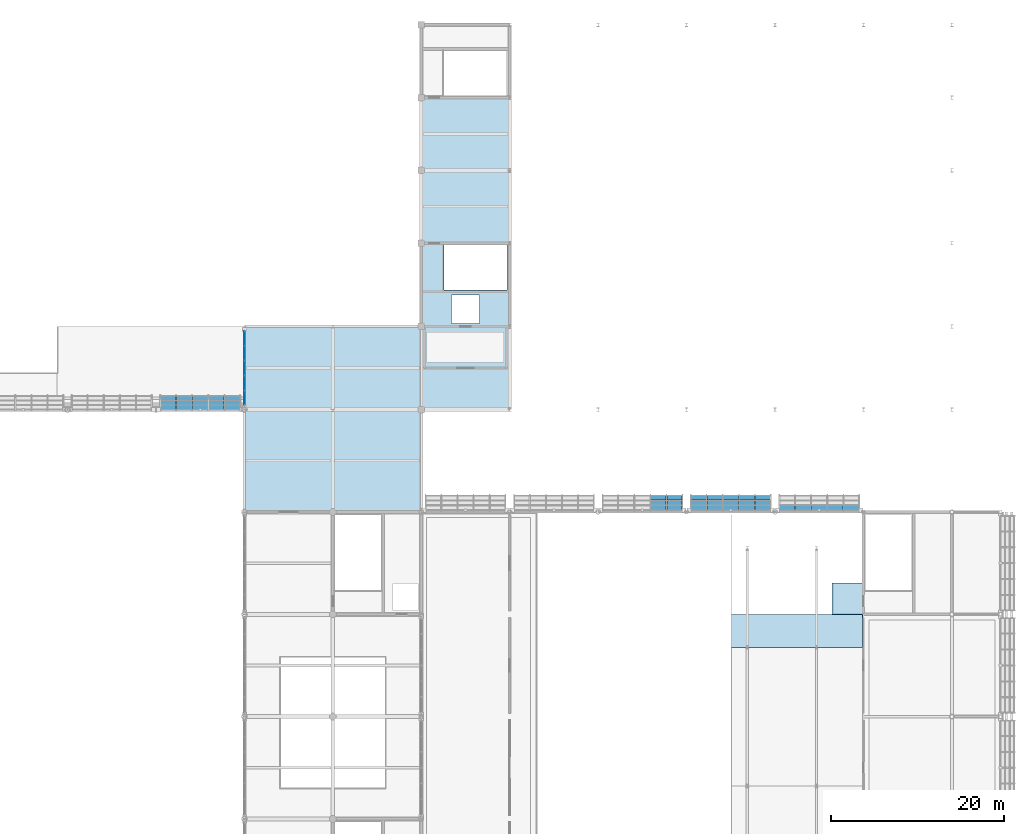
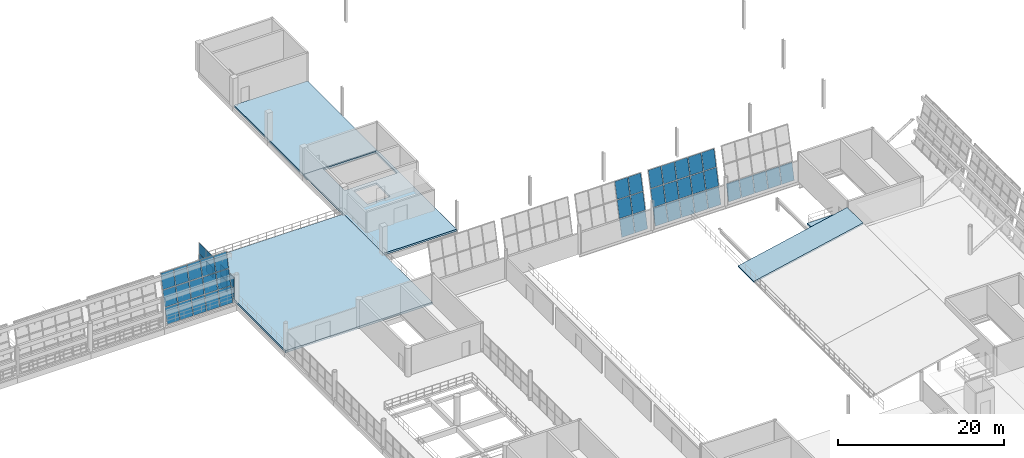
# One storey, part 117 of 157: 51 plates, 5 slabs, 5 elements without a shape of their own.
"""IFC4 building model written with IfcOpenShell, lengths in metres."""

from ifc_helpers import new_model, si_unit, direction, frame, origin, origin_2d, place, context, subcontext, project, spatial, polyline, rectangle, outline, extrude, material, layer, layer_set, type_object, element, aggregate, save


model = new_model("IFC4")

# Units and contexts
model_context = context("Model", 3, precision=1e-05, world=origin(), true_north=direction((0.0, 1.0)))
body_context = subcontext(model_context, "Body", "Model", "MODEL_VIEW")
ifc_project = project(units=[si_unit("LENGTHUNIT", "METRE"), si_unit("AREAUNIT", "SQUARE_METRE"), si_unit("VOLUMEUNIT", "CUBIC_METRE"), si_unit("PLANEANGLEUNIT", "RADIAN"), si_unit("MASSUNIT", "GRAM", prefix="KILO")], contexts=[model_context])

# Site, building, storey
site_placement = place(None, origin())
site = spatial("IfcSite", under=ifc_project, at=site_placement, CompositionType="ELEMENT")
building_placement = place(site_placement, origin())
building = spatial("IfcBuilding", under=site, at=building_placement, Name="Brelvane Convention Centre", CompositionType="ELEMENT")
storey_placement = place(building_placement, frame((0.0, 0.0, 10.800048828125)))
storey = spatial("IfcBuildingStorey", under=building, at=storey_placement, Name="L02", CompositionType="ELEMENT", Elevation=10.800048828125)

# Curtain wall, plates
ifc_material_1 = material(Name="Anodised Aluminium Alloy 6063-T6", Category="aluminium")
curtain_wall_type_1 = type_object("IfcCurtainWallType", Name="Curtain Wall CW-HULL-N", PredefinedType="USERDEFINED", material=ifc_material_1)
curtain_wall_1_placement = place(storey_placement, origin())
curtain_wall_1 = element("IfcCurtainWall", 1, at=curtain_wall_1_placement, inside=storey, type_object=curtain_wall_type_1, Name="Curtain Wall CW-HULL-N L02-V1N-HULL-14", ObjectType="UNITISED", PredefinedType="USERDEFINED")
ifc_material_2 = material(Name="Double Glazed Low-E Laminated Unit")
ifc_layer_1 = layer(ifc_material_2, 0.0380859375)
ifc_layer_set_1 = layer_set([ifc_layer_1], Name="Double Glazed Low-E Laminated Unit")
plate_type_1 = type_object("IfcPlateType", Name="Curtain Panel CW-PG2", PredefinedType="CURTAIN_PANEL", material=ifc_layer_set_1)
plate_1_placement = place(storey_placement, frame((133.1298828125, 100.13720703125, 2.2900390625), z_axis=(0.0, -0.973595011737, 0.22828217872), x_axis=(1.0, 0.0, 0.0)))
plate_1 = element("IfcPlate", 2, at=plate_1_placement, type_object=plate_type_1, Name="CW-HULL-N panel 1.2", PredefinedType="CURTAIN_PANEL", context=body_context, shape_type="SweptSolid", body=[
    extrude(outline(polyline([(0.0, 0.0), (1.740234375, 0.0), (1.740234375, 2.2287725890550485), (0.0, 2.2287725890550485), (0.0, 0.0)])), origin(), (0.0, 0.0, -1.0), 0.0380859375),
])
plate_2_placement = place(storey_placement, frame((133.1298828125, 100.664794921875, 4.5400390625), z_axis=(0.0, -0.973558945432, 0.228435942377), x_axis=(1.0, 0.0, 0.0)))
plate_2 = element("IfcPlate", 3, at=plate_2_placement, type_object=plate_type_1, Name="CW-HULL-N panel 1.3", PredefinedType="CURTAIN_PANEL", context=body_context, shape_type="SweptSolid", body=[
    extrude(outline(polyline([(0.0, 0.0), (1.740234375, 0.0), (1.740234375, 2.18772866552563), (0.0, 2.18772866552563), (0.0, 0.0)])), origin(), (0.0, 0.0, -1.0), 0.0380859375),
])
plate_3_placement = place(storey_placement, frame((134.949951171875, 100.13720703125, 2.2900390625), z_axis=(0.0, -0.973595011737, 0.22828217872), x_axis=(1.0, 0.0, 0.0)))
plate_3 = element("IfcPlate", 4, at=plate_3_placement, type_object=plate_type_1, Name="CW-HULL-N panel 2.2", PredefinedType="CURTAIN_PANEL", context=body_context, shape_type="SweptSolid", body=[
    extrude(outline(polyline([(0.0, 0.0), (1.780029296875, 0.0), (1.780029296875, 2.2287725890550485), (0.0, 2.2287725890550485), (0.0, 0.0)])), origin(), (0.0, 0.0, -1.0), 0.0380859375),
])
plate_4_placement = place(storey_placement, frame((134.949951171875, 100.664794921875, 4.5400390625), z_axis=(0.0, -0.973558945432, 0.228435942377), x_axis=(1.0, 0.0, 0.0)))
plate_4 = element("IfcPlate", 5, at=plate_4_placement, type_object=plate_type_1, Name="CW-HULL-N panel 2.3", PredefinedType="CURTAIN_PANEL", context=body_context, shape_type="SweptSolid", body=[
    extrude(outline(polyline([(0.0, 0.0), (1.780029296875, 0.0), (1.780029296875, 2.18772866552563), (0.0, 2.18772866552563), (0.0, 0.0)])), origin(), (0.0, 0.0, -1.0), 0.0380859375),
])
plate_5_placement = place(storey_placement, frame((136.81005859375, 100.13720703125, 2.2900390625), z_axis=(0.0, -0.973595011737, 0.22828217872), x_axis=(1.0, 0.0, 0.0)))
plate_5 = element("IfcPlate", 6, at=plate_5_placement, type_object=plate_type_1, Name="CW-HULL-N panel 3.2", PredefinedType="CURTAIN_PANEL", context=body_context, shape_type="SweptSolid", body=[
    extrude(outline(polyline([(0.0, 0.0), (1.780029296875, 0.0), (1.780029296875, 2.2287725890550485), (0.0, 2.2287725890550485), (0.0, 0.0)])), origin(), (0.0, 0.0, -1.0), 0.0380859375),
])
plate_6_placement = place(storey_placement, frame((136.81005859375, 100.664794921875, 4.5400390625), z_axis=(0.0, -0.973558945432, 0.228435942377), x_axis=(1.0, 0.0, 0.0)))
plate_6 = element("IfcPlate", 7, at=plate_6_placement, type_object=plate_type_1, Name="CW-HULL-N panel 3.3", PredefinedType="CURTAIN_PANEL", context=body_context, shape_type="SweptSolid", body=[
    extrude(outline(polyline([(0.0, 0.0), (1.780029296875, 0.0), (1.780029296875, 2.18772866552563), (0.0, 2.18772866552563), (0.0, 0.0)])), origin(), (0.0, 0.0, -1.0), 0.0380859375),
])
plate_7_placement = place(storey_placement, frame((138.669921875, 100.13720703125, 2.2900390625), z_axis=(0.0, -0.973595011737, 0.22828217872), x_axis=(1.0, 0.0, 0.0)))
plate_7 = element("IfcPlate", 8, at=plate_7_placement, type_object=plate_type_1, Name="CW-HULL-N panel 4.2", PredefinedType="CURTAIN_PANEL", context=body_context, shape_type="SweptSolid", body=[
    extrude(outline(polyline([(0.0, 0.0), (1.780029296875, 0.0), (1.780029296875, 2.2287725890550485), (0.0, 2.2287725890550485), (0.0, 0.0)])), origin(), (0.0, 0.0, -1.0), 0.0380859375),
])
plate_8_placement = place(storey_placement, frame((138.669921875, 100.664794921875, 4.5400390625), z_axis=(0.0, -0.973558945432, 0.228435942377), x_axis=(1.0, 0.0, 0.0)))
plate_8 = element("IfcPlate", 9, at=plate_8_placement, type_object=plate_type_1, Name="CW-HULL-N panel 4.3", PredefinedType="CURTAIN_PANEL", context=body_context, shape_type="SweptSolid", body=[
    extrude(outline(polyline([(0.0, 0.0), (1.780029296875, 0.0), (1.780029296875, 2.18772866552563), (0.0, 2.18772866552563), (0.0, 0.0)])), origin(), (0.0, 0.0, -1.0), 0.0380859375),
])
plate_9_placement = place(storey_placement, frame((140.530029296875, 100.13720703125, 2.2900390625), z_axis=(0.0, -0.973595011737, 0.22828217872), x_axis=(1.0, 0.0, 0.0)))
plate_9 = element("IfcPlate", 10, at=plate_9_placement, type_object=plate_type_1, Name="CW-HULL-N panel 5.2", PredefinedType="CURTAIN_PANEL", context=body_context, shape_type="SweptSolid", body=[
    extrude(outline(polyline([(0.0, 0.0), (1.739990234375, 0.0), (1.739990234375, 2.2287725890550485), (0.0, 2.2287725890550485), (0.0, 0.0)])), origin(), (0.0, 0.0, -1.0), 0.0380859375),
])
plate_10_placement = place(storey_placement, frame((140.530029296875, 100.664794921875, 4.5400390625), z_axis=(0.0, -0.973558945432, 0.228435942377), x_axis=(1.0, 0.0, 0.0)))
plate_10 = element("IfcPlate", 11, at=plate_10_placement, type_object=plate_type_1, Name="CW-HULL-N panel 5.3", PredefinedType="CURTAIN_PANEL", context=body_context, shape_type="SweptSolid", body=[
    extrude(outline(polyline([(0.0, 0.0), (1.739990234375, 0.0), (1.739990234375, 2.18772866552563), (0.0, 2.18772866552563), (0.0, 0.0)])), origin(), (0.0, 0.0, -1.0), 0.0380859375),
])

curtain_wall_2_placement = place(storey_placement, origin())
curtain_wall_2 = element("IfcCurtainWall", 12, at=curtain_wall_2_placement, inside=storey, type_object=curtain_wall_type_1, Name="Curtain Wall CW-HULL-N L02-HULL-PN-L02-3", ObjectType="UNITISED", PredefinedType="USERDEFINED")
plate_11_placement = place(storey_placement, frame((189.66748046875, 88.582763671875, 2.534912109375), z_axis=(0.0, -0.973570183804, 0.228388040862), x_axis=(1.0, 0.0, 0.0)))
plate_11 = element("IfcPlate", 13, at=plate_11_placement, type_object=plate_type_1, Name="CW-HULL-N panel 4.2", PredefinedType="CURTAIN_PANEL", context=body_context, shape_type="SweptSolid", body=[
    extrude(outline(polyline([(0.0, 0.0), (1.784912109375, 0.0), (1.784912109375, 2.4447410086308348), (0.0, 2.4447410086308348), (0.0, 0.0)])), origin(), (0.0, 0.0, -1.0), 0.0380859375),
])
plate_12_placement = place(storey_placement, frame((189.66748046875, 89.157470703125, 4.98486328125), z_axis=(0.0, -0.973575126231, 0.228366971307), x_axis=(1.0, 0.0, 0.0)))
plate_12 = element("IfcPlate", 14, at=plate_12_placement, type_object=plate_type_1, Name="CW-HULL-N panel 4.3", PredefinedType="CURTAIN_PANEL", context=body_context, shape_type="SweptSolid", body=[
    extrude(outline(polyline([(0.0, 0.0), (1.784912109375, 0.0), (1.784912109375, 2.4086181332532233), (0.0, 2.4086181332532233), (0.0, 0.0)])), origin(), (0.0, 0.0, -1.0), 0.0380859375),
])
plate_13_placement = place(storey_placement, frame((191.527587890625, 88.582763671875, 2.534912109375), z_axis=(0.0, -0.973570183804, 0.228388040862), x_axis=(1.0, 0.0, 0.0)))
plate_13 = element("IfcPlate", 15, at=plate_13_placement, type_object=plate_type_1, Name="CW-HULL-N panel 5.2", PredefinedType="CURTAIN_PANEL", context=body_context, shape_type="SweptSolid", body=[
    extrude(outline(polyline([(0.0, 0.0), (1.747314453125, 0.0), (1.747314453125, 2.4447410086308348), (0.0, 2.4447410086308348), (0.0, 0.0)])), origin(), (0.0, 0.0, -1.0), 0.0380859375),
])
plate_14_placement = place(storey_placement, frame((191.527587890625, 89.157470703125, 4.98486328125), z_axis=(0.0, -0.973575126231, 0.228366971307), x_axis=(1.0, 0.0, 0.0)))
plate_14 = element("IfcPlate", 16, at=plate_14_placement, type_object=plate_type_1, Name="CW-HULL-N panel 5.3", PredefinedType="CURTAIN_PANEL", context=body_context, shape_type="SweptSolid", body=[
    extrude(outline(polyline([(0.0, 0.0), (1.747314453125, 0.0), (1.747314453125, 2.4086181332532237), (0.0, 2.4086181332532237), (0.0, 0.0)])), origin(), (0.0, 0.0, -1.0), 0.0380859375),
])

curtain_wall_3_placement = place(storey_placement, origin())
curtain_wall_3 = element("IfcCurtainWall", 17, at=curtain_wall_3_placement, inside=storey, type_object=curtain_wall_type_1, Name="Curtain Wall CW-HULL-N L02-HULL-PN-L02-4", ObjectType="UNITISED", PredefinedType="USERDEFINED")
plate_15_placement = place(storey_placement, frame((194.324951171875, 88.582763671875, 2.534912109375), z_axis=(0.0, -0.973570183804, 0.228388040862), x_axis=(1.0, 0.0, 0.0)))
plate_15 = element("IfcPlate", 18, at=plate_15_placement, type_object=plate_type_1, Name="CW-HULL-N panel 1.2", PredefinedType="CURTAIN_PANEL", context=body_context, shape_type="SweptSolid", body=[
    extrude(outline(polyline([(0.0, 0.0), (1.74755859375, 0.0), (1.74755859375, 2.4447410086308348), (0.0, 2.4447410086308348), (0.0, 0.0)])), origin(), (0.0, 0.0, -1.0), 0.0380859375),
])
plate_16_placement = place(storey_placement, frame((194.324951171875, 89.157470703125, 4.98486328125), z_axis=(0.0, -0.973575126231, 0.228366971307), x_axis=(1.0, 0.0, 0.0)))
plate_16 = element("IfcPlate", 19, at=plate_16_placement, type_object=plate_type_1, Name="CW-HULL-N panel 1.3", PredefinedType="CURTAIN_PANEL", context=body_context, shape_type="SweptSolid", body=[
    extrude(outline(polyline([(0.0, 0.0), (1.74755859375, 0.0), (1.74755859375, 2.4086181332532237), (0.0, 2.4086181332532237), (0.0, 0.0)])), origin(), (0.0, 0.0, -1.0), 0.0380859375),
])
plate_17_placement = place(storey_placement, frame((196.1474609375, 88.582763671875, 2.534912109375), z_axis=(0.0, -0.973570183804, 0.228388040862), x_axis=(1.0, 0.0, 0.0)))
plate_17 = element("IfcPlate", 20, at=plate_17_placement, type_object=plate_type_1, Name="CW-HULL-N panel 2.2", PredefinedType="CURTAIN_PANEL", context=body_context, shape_type="SweptSolid", body=[
    extrude(outline(polyline([(0.0, 0.0), (1.78515625, 0.0), (1.78515625, 2.4447410086308348), (0.0, 2.4447410086308348), (0.0, 0.0)])), origin(), (0.0, 0.0, -1.0), 0.0380859375),
])
plate_18_placement = place(storey_placement, frame((196.1474609375, 89.157470703125, 4.98486328125), z_axis=(0.0, -0.973575126231, 0.228366971307), x_axis=(1.0, 0.0, 0.0)))
plate_18 = element("IfcPlate", 21, at=plate_18_placement, type_object=plate_type_1, Name="CW-HULL-N panel 2.3", PredefinedType="CURTAIN_PANEL", context=body_context, shape_type="SweptSolid", body=[
    extrude(outline(polyline([(0.0, 0.0), (1.78515625, 0.0), (1.78515625, 2.4086181332532233), (0.0, 2.4086181332532233), (0.0, 0.0)])), origin(), (0.0, 0.0, -1.0), 0.0380859375),
])
plate_19_placement = place(storey_placement, frame((198.007568359375, 88.582763671875, 2.534912109375), z_axis=(0.0, -0.973570183804, 0.228388040862), x_axis=(1.0, 0.0, 0.0)))
plate_19 = element("IfcPlate", 22, at=plate_19_placement, type_object=plate_type_1, Name="CW-HULL-N panel 3.2", PredefinedType="CURTAIN_PANEL", context=body_context, shape_type="SweptSolid", body=[
    extrude(outline(polyline([(0.0, 0.0), (1.784912109375, 0.0), (1.784912109375, 2.4447410086308348), (0.0, 2.4447410086308348), (0.0, 0.0)])), origin(), (0.0, 0.0, -1.0), 0.0380859375),
])
plate_20_placement = place(storey_placement, frame((198.007568359375, 89.157470703125, 4.98486328125), z_axis=(0.0, -0.973575126231, 0.228366971307), x_axis=(1.0, 0.0, 0.0)))
plate_20 = element("IfcPlate", 23, at=plate_20_placement, type_object=plate_type_1, Name="CW-HULL-N panel 3.3", PredefinedType="CURTAIN_PANEL", context=body_context, shape_type="SweptSolid", body=[
    extrude(outline(polyline([(0.0, 0.0), (1.784912109375, 0.0), (1.784912109375, 2.4086181332532233), (0.0, 2.4086181332532233), (0.0, 0.0)])), origin(), (0.0, 0.0, -1.0), 0.0380859375),
])
plate_21_placement = place(storey_placement, frame((199.867431640625, 88.582763671875, 2.534912109375), z_axis=(0.0, -0.973570183804, 0.228388040862), x_axis=(1.0, 0.0, 0.0)))
plate_21 = element("IfcPlate", 24, at=plate_21_placement, type_object=plate_type_1, Name="CW-HULL-N panel 4.2", PredefinedType="CURTAIN_PANEL", context=body_context, shape_type="SweptSolid", body=[
    extrude(outline(polyline([(0.0, 0.0), (1.78515625, 0.0), (1.78515625, 2.4447410086308348), (0.0, 2.4447410086308348), (0.0, 0.0)])), origin(), (0.0, 0.0, -1.0), 0.0380859375),
])
plate_22_placement = place(storey_placement, frame((199.867431640625, 89.157470703125, 4.98486328125), z_axis=(0.0, -0.973575126231, 0.228366971307), x_axis=(1.0, 0.0, 0.0)))
plate_22 = element("IfcPlate", 25, at=plate_22_placement, type_object=plate_type_1, Name="CW-HULL-N panel 4.3", PredefinedType="CURTAIN_PANEL", context=body_context, shape_type="SweptSolid", body=[
    extrude(outline(polyline([(0.0, 0.0), (1.78515625, 0.0), (1.78515625, 2.4086181332532233), (0.0, 2.4086181332532233), (0.0, 0.0)])), origin(), (0.0, 0.0, -1.0), 0.0380859375),
])
plate_23_placement = place(storey_placement, frame((201.7275390625, 88.582763671875, 2.534912109375), z_axis=(0.0, -0.973570183804, 0.228388040862), x_axis=(1.0, 0.0, 0.0)))
plate_23 = element("IfcPlate", 26, at=plate_23_placement, type_object=plate_type_1, Name="CW-HULL-N panel 5.2", PredefinedType="CURTAIN_PANEL", context=body_context, shape_type="SweptSolid", body=[
    extrude(outline(polyline([(0.0, 0.0), (1.74755859375, 0.0), (1.74755859375, 2.4447410086308348), (0.0, 2.4447410086308348), (0.0, 0.0)])), origin(), (0.0, 0.0, -1.0), 0.0380859375),
])
plate_24_placement = place(storey_placement, frame((201.7275390625, 89.157470703125, 4.98486328125), z_axis=(0.0, -0.973575126231, 0.228366971307), x_axis=(1.0, 0.0, 0.0)))
plate_24 = element("IfcPlate", 27, at=plate_24_placement, type_object=plate_type_1, Name="CW-HULL-N panel 5.3", PredefinedType="CURTAIN_PANEL", context=body_context, shape_type="SweptSolid", body=[
    extrude(outline(polyline([(0.0, 0.0), (1.74755859375, 0.0), (1.74755859375, 2.4086181332532237), (0.0, 2.4086181332532237), (0.0, 0.0)])), origin(), (0.0, 0.0, -1.0), 0.0380859375),
])

ifc_material_3 = material(Name="Anodised Aluminium Alloy 6063-T6", Category="aluminium")
curtain_wall_type_2 = type_object("IfcCurtainWallType", Name="Curtain Wall CW-PAV", PredefinedType="USERDEFINED", material=ifc_material_3)
curtain_wall_4_placement = place(storey_placement, origin())
curtain_wall_4 = element("IfcCurtainWall", 28, at=curtain_wall_4_placement, inside=storey, type_object=curtain_wall_type_2, Name="Curtain Wall CW-PAV L02-COURT-E-CW-L02", ObjectType="UNITISED", PredefinedType="USERDEFINED")
ifc_material_4 = material(Name="Double Glazed Low-E Laminated Unit")
ifc_layer_2 = layer(ifc_material_4, 0.0439453125)
ifc_layer_set_2 = layer_set([ifc_layer_2], Name="Double Glazed Low-E Laminated Unit")
plate_type_2 = type_object("IfcPlateType", Name="Curtain Panel CW-PG3", PredefinedType="CURTAIN_PANEL", material=ifc_layer_set_2)
plate_25_placement = place(storey_placement, frame((142.800048828125, 100.976318359375, 0.059814453125), z_axis=(0.0, 0.0, 1.0), x_axis=(0.0, 1.0, 0.0)))
plate_25 = element("IfcPlate", 29, at=plate_25_placement, type_object=plate_type_2, Name="CW-PAV panel 1.1", PredefinedType="CURTAIN_PANEL", context=body_context, shape_type="SweptSolid", body=[
    extrude(rectangle(XDim=1.62255859375, YDim=0.0439453125, at=origin_2d()), origin(), (0.0, 0.0, 1.0), 1.56005859375),
])
plate_26_placement = place(storey_placement, frame((142.800048828125, 100.976318359375, 1.679931640625), z_axis=(0.0, 0.0, 1.0), x_axis=(0.0, 1.0, 0.0)))
plate_26 = element("IfcPlate", 30, at=plate_26_placement, type_object=plate_type_2, Name="CW-PAV panel 1.2", PredefinedType="CURTAIN_PANEL", context=body_context, shape_type="SweptSolid", body=[
    extrude(rectangle(XDim=1.62255859375, YDim=0.0439453125, at=origin_2d()), origin(), (0.0, 0.0, 1.0), 1.56005859375),
])
plate_27_placement = place(storey_placement, frame((142.800048828125, 102.679931640625, 0.059814453125), z_axis=(0.0, 0.0, 1.0), x_axis=(0.0, 1.0, 0.0)))
plate_27 = element("IfcPlate", 31, at=plate_27_placement, type_object=plate_type_2, Name="CW-PAV panel 2.1", PredefinedType="CURTAIN_PANEL", context=body_context, shape_type="SweptSolid", body=[
    extrude(rectangle(XDim=1.655029296875, YDim=0.0439453125, at=origin_2d()), origin(), (0.0, 0.0, 1.0), 1.56005859375),
])
plate_28_placement = place(storey_placement, frame((142.800048828125, 102.679931640625, 1.679931640625), z_axis=(0.0, 0.0, 1.0), x_axis=(0.0, 1.0, 0.0)))
plate_28 = element("IfcPlate", 32, at=plate_28_placement, type_object=plate_type_2, Name="CW-PAV panel 2.2", PredefinedType="CURTAIN_PANEL", context=body_context, shape_type="SweptSolid", body=[
    extrude(rectangle(XDim=1.655029296875, YDim=0.0439453125, at=origin_2d()), origin(), (0.0, 0.0, 1.0), 1.56005859375),
])
plate_29_placement = place(storey_placement, frame((142.800048828125, 104.39990234375, 0.059814453125), z_axis=(0.0, 0.0, 1.0), x_axis=(0.0, 1.0, 0.0)))
plate_29 = element("IfcPlate", 33, at=plate_29_placement, type_object=plate_type_2, Name="CW-PAV panel 3.1", PredefinedType="CURTAIN_PANEL", context=body_context, shape_type="SweptSolid", body=[
    extrude(rectangle(XDim=1.655029296875, YDim=0.0439453125, at=origin_2d()), origin(), (0.0, 0.0, 1.0), 1.56005859375),
])
plate_30_placement = place(storey_placement, frame((142.800048828125, 104.39990234375, 1.679931640625), z_axis=(0.0, 0.0, 1.0), x_axis=(0.0, 1.0, 0.0)))
plate_30 = element("IfcPlate", 34, at=plate_30_placement, type_object=plate_type_2, Name="CW-PAV panel 3.2", PredefinedType="CURTAIN_PANEL", context=body_context, shape_type="SweptSolid", body=[
    extrude(rectangle(XDim=1.655029296875, YDim=0.0439453125, at=origin_2d()), origin(), (0.0, 0.0, 1.0), 1.56005859375),
])
plate_31_placement = place(storey_placement, frame((142.800048828125, 106.1201171875, 0.059814453125), z_axis=(0.0, 0.0, 1.0), x_axis=(0.0, 1.0, 0.0)))
plate_31 = element("IfcPlate", 35, at=plate_31_placement, type_object=plate_type_2, Name="CW-PAV panel 4.1", PredefinedType="CURTAIN_PANEL", context=body_context, shape_type="SweptSolid", body=[
    extrude(rectangle(XDim=1.655029296875, YDim=0.0439453125, at=origin_2d()), origin(), (0.0, 0.0, 1.0), 1.56005859375),
])
plate_32_placement = place(storey_placement, frame((142.800048828125, 106.1201171875, 1.679931640625), z_axis=(0.0, 0.0, 1.0), x_axis=(0.0, 1.0, 0.0)))
plate_32 = element("IfcPlate", 36, at=plate_32_placement, type_object=plate_type_2, Name="CW-PAV panel 4.2", PredefinedType="CURTAIN_PANEL", context=body_context, shape_type="SweptSolid", body=[
    extrude(rectangle(XDim=1.655029296875, YDim=0.0439453125, at=origin_2d()), origin(), (0.0, 0.0, 1.0), 1.56005859375),
])
plate_33_placement = place(storey_placement, frame((142.800048828125, 107.82373046875, 0.059814453125), z_axis=(0.0, 0.0, 1.0), x_axis=(0.0, 1.0, 0.0)))
plate_33 = element("IfcPlate", 37, at=plate_33_placement, type_object=plate_type_2, Name="CW-PAV panel 5.1", PredefinedType="CURTAIN_PANEL", context=body_context, shape_type="SweptSolid", body=[
    extrude(rectangle(XDim=1.62255859375, YDim=0.0439453125, at=origin_2d()), origin(), (0.0, 0.0, 1.0), 1.56005859375),
])
plate_34_placement = place(storey_placement, frame((142.800048828125, 107.82373046875, 1.679931640625), z_axis=(0.0, 0.0, 1.0), x_axis=(0.0, 1.0, 0.0)))
plate_34 = element("IfcPlate", 38, at=plate_34_placement, type_object=plate_type_2, Name="CW-PAV panel 5.2", PredefinedType="CURTAIN_PANEL", context=body_context, shape_type="SweptSolid", body=[
    extrude(rectangle(XDim=1.62255859375, YDim=0.0439453125, at=origin_2d()), origin(), (0.0, 0.0, 1.0), 1.56005859375),
])
aggregate(curtain_wall_4, [plate_25, plate_26, plate_27, plate_28, plate_29, plate_30, plate_31, plate_32, plate_33, plate_34])

# Plate
ifc_material_5 = material(Name="Patinated Copper-Bronze Alloy C22000")
ifc_layer_3 = layer(ifc_material_5, 0.048095703125)
ifc_layer_set_3 = layer_set([ifc_layer_3], Name="Patinated Copper-Bronze Alloy C22000")
plate_type_3 = type_object("IfcPlateType", Name="Curtain Panel CW-PS1", PredefinedType="CURTAIN_PANEL", material=ifc_layer_set_3)
plate_35_placement = place(storey_placement, frame((133.1298828125, 99.61865234375, 0.079833984375), z_axis=(0.0, -0.973564767867, 0.228411126627), x_axis=(1.0, 0.0, 0.0)))
plate_35 = element("IfcPlate", 39, at=plate_35_placement, type_object=plate_type_3, Name="CW-HULL-N panel 1.1", PredefinedType="CURTAIN_PANEL", context=body_context, shape_type="SweptSolid", body=[
    extrude(outline(polyline([(0.0, 0.0), (1.740234375, 0.0), (1.740234375, 2.1879663515258274), (0.0, 2.1879663515258274), (0.0, 0.0)])), origin(), (0.0, 0.0, -1.0), 0.0380859375),
])

plate_36_placement = place(storey_placement, frame((134.949951171875, 99.61865234375, 0.079833984375), z_axis=(0.0, -0.973564767867, 0.228411126627), x_axis=(1.0, 0.0, 0.0)))
plate_36 = element("IfcPlate", 40, at=plate_36_placement, type_object=plate_type_3, Name="CW-HULL-N panel 2.1", PredefinedType="CURTAIN_PANEL", context=body_context, shape_type="SweptSolid", body=[
    extrude(outline(polyline([(0.0, 0.0), (1.780029296875, 0.0), (1.780029296875, 2.1879663515258274), (0.0, 2.1879663515258274), (0.0, 0.0)])), origin(), (0.0, 0.0, -1.0), 0.0380859375),
])

plate_37_placement = place(storey_placement, frame((136.81005859375, 99.61865234375, 0.079833984375), z_axis=(0.0, -0.973564767867, 0.228411126627), x_axis=(1.0, 0.0, 0.0)))
plate_37 = element("IfcPlate", 41, at=plate_37_placement, type_object=plate_type_3, Name="CW-HULL-N panel 3.1", PredefinedType="CURTAIN_PANEL", context=body_context, shape_type="SweptSolid", body=[
    extrude(outline(polyline([(0.0, 0.0), (1.780029296875, 0.0), (1.780029296875, 2.1879663515258274), (0.0, 2.1879663515258274), (0.0, 0.0)])), origin(), (0.0, 0.0, -1.0), 0.0380859375),
])

plate_38_placement = place(storey_placement, frame((138.669921875, 99.61865234375, 0.079833984375), z_axis=(0.0, -0.973564767867, 0.228411126627), x_axis=(1.0, 0.0, 0.0)))
plate_38 = element("IfcPlate", 42, at=plate_38_placement, type_object=plate_type_3, Name="CW-HULL-N panel 4.1", PredefinedType="CURTAIN_PANEL", context=body_context, shape_type="SweptSolid", body=[
    extrude(outline(polyline([(0.0, 0.0), (1.780029296875, 0.0), (1.780029296875, 2.1879663515258274), (0.0, 2.1879663515258274), (0.0, 0.0)])), origin(), (0.0, 0.0, -1.0), 0.0380859375),
])

plate_39_placement = place(storey_placement, frame((140.530029296875, 99.61865234375, 0.079833984375), z_axis=(0.0, -0.973564767867, 0.228411126627), x_axis=(1.0, 0.0, 0.0)))
plate_39 = element("IfcPlate", 43, at=plate_39_placement, type_object=plate_type_3, Name="CW-HULL-N panel 5.1", PredefinedType="CURTAIN_PANEL", context=body_context, shape_type="SweptSolid", body=[
    extrude(outline(polyline([(0.0, 0.0), (1.739990234375, 0.0), (1.739990234375, 2.1879663515258274), (0.0, 2.1879663515258274), (0.0, 0.0)])), origin(), (0.0, 0.0, -1.0), 0.0380859375),
])

aggregate(curtain_wall_1, [plate_35, plate_1, plate_2, plate_36, plate_3, plate_4, plate_37, plate_5, plate_6, plate_38, plate_7, plate_8, plate_39, plate_9, plate_10])

plate_40_placement = place(storey_placement, frame((189.66748046875, 88.016357421875, 0.119873046875), z_axis=(0.0, -0.973575126231, 0.228366971307), x_axis=(1.0, 0.0, 0.0)))
plate_40 = element("IfcPlate", 44, at=plate_40_placement, type_object=plate_type_3, Name="CW-HULL-N panel 4.1", PredefinedType="CURTAIN_PANEL", context=body_context, shape_type="SweptSolid", body=[
    extrude(outline(polyline([(0.0, 0.0), (1.784912109375, 0.0), (1.784912109375, 2.4086181332532233), (0.0, 2.4086181332532233), (0.0, 0.0)])), origin(), (0.0, 0.0, -1.0), 0.0380859375),
])

plate_41_placement = place(storey_placement, frame((191.527587890625, 88.016357421875, 0.119873046875), z_axis=(0.0, -0.973575126231, 0.228366971307), x_axis=(1.0, 0.0, 0.0)))
plate_41 = element("IfcPlate", 45, at=plate_41_placement, type_object=plate_type_3, Name="CW-HULL-N panel 5.1", PredefinedType="CURTAIN_PANEL", context=body_context, shape_type="SweptSolid", body=[
    extrude(outline(polyline([(0.0, 0.0), (1.747314453125, 0.0), (1.747314453125, 2.4086181332532237), (0.0, 2.4086181332532237), (0.0, 0.0)])), origin(), (0.0, 0.0, -1.0), 0.0380859375),
])

aggregate(curtain_wall_2, [plate_40, plate_11, plate_12, plate_41, plate_13, plate_14])

plate_42_placement = place(storey_placement, frame((194.324951171875, 88.016357421875, 0.119873046875), z_axis=(0.0, -0.973575126231, 0.228366971307), x_axis=(1.0, 0.0, 0.0)))
plate_42 = element("IfcPlate", 46, at=plate_42_placement, type_object=plate_type_3, Name="CW-HULL-N panel 1.1", PredefinedType="CURTAIN_PANEL", context=body_context, shape_type="SweptSolid", body=[
    extrude(outline(polyline([(0.0, 0.0), (1.74755859375, 0.0), (1.74755859375, 2.4086181332532237), (0.0, 2.4086181332532237), (0.0, 0.0)])), origin(), (0.0, 0.0, -1.0), 0.0380859375),
])

plate_43_placement = place(storey_placement, frame((196.1474609375, 88.016357421875, 0.119873046875), z_axis=(0.0, -0.973575126231, 0.228366971307), x_axis=(1.0, 0.0, 0.0)))
plate_43 = element("IfcPlate", 47, at=plate_43_placement, type_object=plate_type_3, Name="CW-HULL-N panel 2.1", PredefinedType="CURTAIN_PANEL", context=body_context, shape_type="SweptSolid", body=[
    extrude(outline(polyline([(0.0, 0.0), (1.78515625, 0.0), (1.78515625, 2.4086181332532233), (0.0, 2.4086181332532233), (0.0, 0.0)])), origin(), (0.0, 0.0, -1.0), 0.0380859375),
])

plate_44_placement = place(storey_placement, frame((198.007568359375, 88.016357421875, 0.119873046875), z_axis=(0.0, -0.973575126231, 0.228366971307), x_axis=(1.0, 0.0, 0.0)))
plate_44 = element("IfcPlate", 48, at=plate_44_placement, type_object=plate_type_3, Name="CW-HULL-N panel 3.1", PredefinedType="CURTAIN_PANEL", context=body_context, shape_type="SweptSolid", body=[
    extrude(outline(polyline([(0.0, 0.0), (1.784912109375, 0.0), (1.784912109375, 2.4086181332532233), (0.0, 2.4086181332532233), (0.0, 0.0)])), origin(), (0.0, 0.0, -1.0), 0.0380859375),
])

plate_45_placement = place(storey_placement, frame((199.867431640625, 88.016357421875, 0.119873046875), z_axis=(0.0, -0.973575126231, 0.228366971307), x_axis=(1.0, 0.0, 0.0)))
plate_45 = element("IfcPlate", 49, at=plate_45_placement, type_object=plate_type_3, Name="CW-HULL-N panel 4.1", PredefinedType="CURTAIN_PANEL", context=body_context, shape_type="SweptSolid", body=[
    extrude(outline(polyline([(0.0, 0.0), (1.78515625, 0.0), (1.78515625, 2.4086181332532233), (0.0, 2.4086181332532233), (0.0, 0.0)])), origin(), (0.0, 0.0, -1.0), 0.0380859375),
])

plate_46_placement = place(storey_placement, frame((201.7275390625, 88.016357421875, 0.119873046875), z_axis=(0.0, -0.973575126231, 0.228366971307), x_axis=(1.0, 0.0, 0.0)))
plate_46 = element("IfcPlate", 50, at=plate_46_placement, type_object=plate_type_3, Name="CW-HULL-N panel 5.1", PredefinedType="CURTAIN_PANEL", context=body_context, shape_type="SweptSolid", body=[
    extrude(outline(polyline([(0.0, 0.0), (1.74755859375, 0.0), (1.74755859375, 2.4086181332532237), (0.0, 2.4086181332532237), (0.0, 0.0)])), origin(), (0.0, 0.0, -1.0), 0.0380859375),
])

aggregate(curtain_wall_3, [plate_42, plate_15, plate_16, plate_43, plate_17, plate_18, plate_44, plate_19, plate_20, plate_45, plate_21, plate_22, plate_46, plate_23, plate_24])

# Curtain wall, plates
curtain_wall_5_placement = place(storey_placement, origin())
curtain_wall_5 = element("IfcCurtainWall", 51, at=curtain_wall_5_placement, inside=storey, type_object=curtain_wall_type_1, Name="Curtain Wall CW-HULL-N L02-HULL-PN-L02-5", ObjectType="UNITISED", PredefinedType="USERDEFINED")
plate_47_placement = place(storey_placement, frame((204.52490234375, 88.016357421875, 0.119873046875), z_axis=(0.0, -0.973575126231, 0.228366971307), x_axis=(1.0, 0.0, 0.0)))
plate_47 = element("IfcPlate", 52, at=plate_47_placement, type_object=plate_type_3, Name="CW-HULL-N panel 1.1", PredefinedType="CURTAIN_PANEL", context=body_context, shape_type="SweptSolid", body=[
    extrude(outline(polyline([(0.0, 0.0), (1.74755859375, 0.0), (1.74755859375, 2.4086181332532237), (0.0, 2.4086181332532237), (0.0, 0.0)])), origin(), (0.0, 0.0, -1.0), 0.0380859375),
])
plate_48_placement = place(storey_placement, frame((206.347412109375, 88.016357421875, 0.119873046875), z_axis=(0.0, -0.973575126231, 0.228366971307), x_axis=(1.0, 0.0, 0.0)))
plate_48 = element("IfcPlate", 53, at=plate_48_placement, type_object=plate_type_3, Name="CW-HULL-N panel 2.1", PredefinedType="CURTAIN_PANEL", context=body_context, shape_type="SweptSolid", body=[
    extrude(outline(polyline([(0.0, 0.0), (1.78515625, 0.0), (1.78515625, 2.4086181332532233), (0.0, 2.4086181332532233), (0.0, 0.0)])), origin(), (0.0, 0.0, -1.0), 0.0380859375),
])
plate_49_placement = place(storey_placement, frame((208.20751953125, 88.016357421875, 0.119873046875), z_axis=(0.0, -0.973575126231, 0.228366971307), x_axis=(1.0, 0.0, 0.0)))
plate_49 = element("IfcPlate", 54, at=plate_49_placement, type_object=plate_type_3, Name="CW-HULL-N panel 3.1", PredefinedType="CURTAIN_PANEL", context=body_context, shape_type="SweptSolid", body=[
    extrude(outline(polyline([(0.0, 0.0), (1.784912109375, 0.0), (1.784912109375, 2.4086181332532233), (0.0, 2.4086181332532233), (0.0, 0.0)])), origin(), (0.0, 0.0, -1.0), 0.0380859375),
])
plate_50_placement = place(storey_placement, frame((210.0673828125, 88.016357421875, 0.119873046875), z_axis=(0.0, -0.973575126231, 0.228366971307), x_axis=(1.0, 0.0, 0.0)))
plate_50 = element("IfcPlate", 55, at=plate_50_placement, type_object=plate_type_3, Name="CW-HULL-N panel 4.1", PredefinedType="CURTAIN_PANEL", context=body_context, shape_type="SweptSolid", body=[
    extrude(outline(polyline([(0.0, 0.0), (1.78515625, 0.0), (1.78515625, 2.4086181332532233), (0.0, 2.4086181332532233), (0.0, 0.0)])), origin(), (0.0, 0.0, -1.0), 0.0380859375),
])
plate_51_placement = place(storey_placement, frame((211.927490234375, 88.016357421875, 0.119873046875), z_axis=(0.0, -0.973575126231, 0.228366971307), x_axis=(1.0, 0.0, 0.0)))
plate_51 = element("IfcPlate", 56, at=plate_51_placement, type_object=plate_type_3, Name="CW-HULL-N panel 5.1", PredefinedType="CURTAIN_PANEL", context=body_context, shape_type="SweptSolid", body=[
    extrude(outline(polyline([(0.0, 0.0), (1.74755859375, 0.0), (1.74755859375, 2.4086181332532237), (0.0, 2.4086181332532237), (0.0, 0.0)])), origin(), (0.0, 0.0, -1.0), 0.0380859375),
])
aggregate(curtain_wall_5, [plate_47, plate_48, plate_49, plate_50, plate_51])

# Slabs
ifc_material_6 = material(Name="Concrete M40", Category="concrete")
ifc_layer_4 = layer(ifc_material_6, 0.280029296875)
ifc_layer_set_4 = layer_set([ifc_layer_4], Name="Concrete M40")
slab_type_1 = type_object("IfcSlabType", Name="Structural Slab SL-FLR-280", PredefinedType="FLOOR", material=ifc_layer_set_4)
slab_1_placement = place(storey_placement, frame((0.0, 0.0, -0.280029296875)))
element("IfcSlab", 57, at=slab_1_placement, inside=storey, type_object=slab_type_1, Name="L02 Floor Slab PLEN-VOM2-N", PredefinedType="FLOOR", context=body_context, shape_type="SweptSolid", body=[
    extrude(outline(polyline([(210.60009765625, 76.0), (214.199951171875, 76.0), (214.199951171875, 79.60009765625), (210.60009765625, 79.60009765625), (210.60009765625, 76.0)])), origin(), (0.0, 0.0, 1.0), 0.280029296875),
])
slab_2_placement = place(storey_placement, frame((0.0, 0.0, -0.280029296875)))
element("IfcSlab", 58, at=slab_2_placement, inside=storey, type_object=slab_type_1, Name="L02 Floor Slab BALL-GAL", PredefinedType="FLOOR", context=body_context, shape_type="SweptSolid", body=[
    extrude(outline(polyline([(163.199951171875, 99.60009765625), (173.39990234375, 99.60009765625), (173.39990234375, 118.800048828125), (163.199951171875, 118.800048828125), (163.199951171875, 99.60009765625)]), holes=[polyline([(165.800048828125, 113.39990234375), (173.10009765625, 113.39990234375), (173.10009765625, 118.64990234375), (165.800048828125, 118.64990234375), (165.800048828125, 113.39990234375)]), polyline([(166.699951171875, 109.550048828125), (169.89990234375, 109.550048828125), (169.89990234375, 112.85009765625), (166.699951171875, 112.85009765625), (166.699951171875, 109.550048828125)])]), origin(), (0.0, 0.0, 1.0), 0.280029296875),
])
slab_3_placement = place(storey_placement, frame((0.0, 0.0, -0.280029296875)))
element("IfcSlab", 59, at=slab_3_placement, inside=storey, type_object=slab_type_1, Name="L02 Floor Slab BALL-MID", PredefinedType="FLOOR", context=body_context, shape_type="SweptSolid", body=[
    extrude(outline(polyline([(163.199951171875, 118.800048828125), (173.39990234375, 118.800048828125), (173.39990234375, 135.60009765625), (163.199951171875, 135.60009765625), (163.199951171875, 118.800048828125)])), origin(), (0.0, 0.0, 1.0), 0.280029296875),
])
ifc_material_7 = material(Name="Concrete M40", Category="concrete")
ifc_layer_5 = layer(ifc_material_7, 0.31005859375)
ifc_layer_set_5 = layer_set([ifc_layer_5], Name="Concrete M40")
slab_type_2 = type_object("IfcSlabType", Name="Structural Slab SL-ROOF-GDN-310", PredefinedType="ROOF", material=ifc_layer_set_5)
slab_4_placement = place(storey_placement, frame((0.0, 0.0, -0.31005859375)))
element("IfcSlab", 60, at=slab_4_placement, inside=storey, type_object=slab_type_2, Name="Ballroom Court Roof Garden Slab", PredefinedType="ROOF", context=body_context, shape_type="SweptSolid", body=[
    extrude(outline(polyline([(142.800048828125, 87.800048828125), (163.199951171875, 87.800048828125), (163.199951171875, 109.199951171875), (142.800048828125, 109.199951171875), (142.800048828125, 87.800048828125)])), origin(), (0.0, 0.0, 1.0), 0.31005859375),
])
ifc_material_8 = material(Name="Concrete M40", Category="concrete")
ifc_layer_6 = layer(ifc_material_8, 0.239990234375)
ifc_layer_set_6 = layer_set([ifc_layer_6], Name="Concrete M40")
slab_type_3 = type_object("IfcSlabType", Name="Structural Slab SL-TIER-240", PredefinedType="USERDEFINED", material=ifc_layer_set_6)
slab_5_placement = place(storey_placement, frame((198.89990234375, 72.199951171875, 0.0), z_axis=(-0.210933474626, 0.0, 0.97750041907), x_axis=(0.97750041907, 0.0, 0.210933474626)))
element("IfcSlab", 61, at=slab_5_placement, inside=storey, type_object=slab_type_3, Name="Plenary Hall Upper Balcony Seating Tier N", ObjectType="SEATING TIER", PredefinedType="USERDEFINED", context=body_context, shape_type="SweptSolid", body=[
    extrude(outline(polyline([(0.0, 0.0), (15.550065264380896, 0.0), (15.550065264380896, 3.800048828125), (0.0, 3.800048828125), (0.0, 0.0)])), origin(), (0.0, 0.0, -1.0), 0.239990234375),
])

save(model, "model.ifc")
